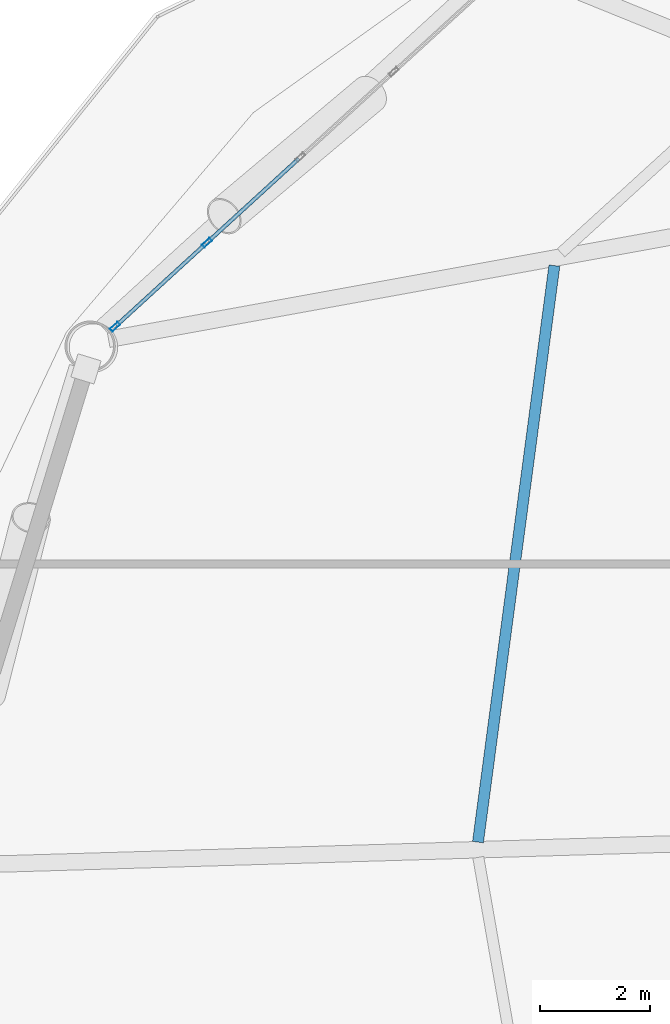
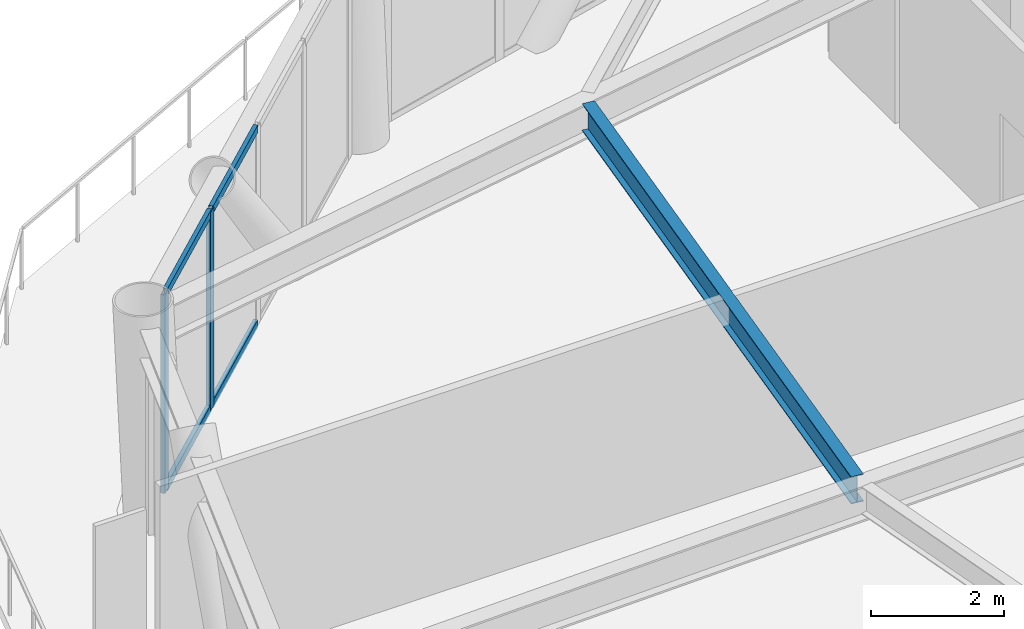
# One storey, part 11 of 24: 6 members, 1 beam, 1 element without a shape of its own.
"""IFC4 building model written with IfcOpenShell, lengths in metres."""

from ifc_helpers import new_model, si_unit, direction, frame, origin, origin_2d, place, context, subcontext, project, spatial, hollow_rectangle, i_section, extrude, material, layer, layer_set, material_profile, profile_set, type_object, element, aggregate, save


model = new_model("IFC4")

# Units and contexts
model_context = context("Model", 3, precision=1e-05, world=origin(), true_north=direction((0.0, 1.0)))
body_context = subcontext(model_context, "Body", "Model", "MODEL_VIEW")
ifc_project = project(units=[si_unit("LENGTHUNIT", "METRE"), si_unit("AREAUNIT", "SQUARE_METRE"), si_unit("VOLUMEUNIT", "CUBIC_METRE"), si_unit("PLANEANGLEUNIT", "RADIAN"), si_unit("MASSUNIT", "GRAM", prefix="KILO")], contexts=[model_context])

# Site, building, storey
site_placement = place(None, origin())
site = spatial("IfcSite", under=ifc_project, at=site_placement, CompositionType="ELEMENT")
building_placement = place(site_placement, origin())
building = spatial("IfcBuilding", under=site, at=building_placement, Name="Varnakorn Sky Granary", CompositionType="ELEMENT")
storey_placement = place(building_placement, frame((0.0, 0.0, 43.199951171875)))
storey = spatial("IfcBuildingStorey", under=building, at=storey_placement, Name="L10", CompositionType="ELEMENT", Elevation=43.199951171875)

# Beam
ifc_material_1 = material(Name="Steel S355JR", Category="steel")
ifc_material_profile_1 = material_profile(ifc_material_1, i_section(OverallWidth=0.199951171875, OverallDepth=0.5, WebThickness=0.01025390625, FlangeThickness=0.01611328125, at=origin_2d()), Name="IPE 500")
ifc_profile_set_1 = profile_set([ifc_material_profile_1], Name="Steel S355JR")
beam_type = type_object("IfcBeamType", Name="BM-SEC-Z1", PredefinedType="BEAM", material=ifc_profile_set_1)
beam_placement = place(storey_placement, frame((-10.980712890625, 10.927001953125, 3.39013671875), z_axis=(-0.131376145251, -0.991332592251, 0.0), x_axis=(0.991332592251, -0.131376145251, 0.0)))
element("IfcBeam", 1, at=beam_placement, inside=storey, type_object=beam_type, Name="Secondary Floor Chord Beam MSB06 L10", PredefinedType="BEAM", context=body_context, shape_type="SweptSolid", body=[
    extrude(i_section(OverallWidth=0.199951171875, OverallDepth=0.5, WebThickness=0.01025390625, FlangeThickness=0.01611328125, at=origin_2d()), origin(), (0.0, 0.0, 1.0), 10.57958984375),
])

# Curtain wall, members
ifc_material_2 = material(Name="Anodised Bronze Aluminium Alloy 6063-T6", Category="aluminium")
ifc_layer = layer(ifc_material_2, 0.18994140625, Name="Anodised Bronze Aluminium Alloy 6063-T6")
ifc_layer_set = layer_set([ifc_layer], Name="Anodised Bronze Aluminium Alloy 6063-T6")
curtain_wall_type = type_object("IfcCurtainWallType", Name="CW-FRM-1", PredefinedType="USERDEFINED", material=ifc_layer_set)
curtain_wall_placement = place(storey_placement, origin())
curtain_wall = element("IfcCurtainWall", 2, at=curtain_wall_placement, inside=storey, type_object=curtain_wall_type, Name="Unitised Curtain Wall CW3 CW-L10-B05", ObjectType="CURTAIN WALL", PredefinedType="USERDEFINED")
ifc_material_profile_2 = material_profile(ifc_material_2, hollow_rectangle(XDim=0.070068359375, YDim=0.18505859375, WallThickness=0.00390625, at=origin_2d()), Name="ALU MULL 70x185")
ifc_profile_set_2 = profile_set([ifc_material_profile_2], Name="Anodised Bronze Aluminium Alloy 6063-T6")
member_type_1 = type_object("IfcMemberType", Name="CW-FRM-1-MULL", PredefinedType="MULLION", material=ifc_profile_set_2)
member_1_placement = place(storey_placement, frame((-18.973388671875, 9.814453125, 0.0), z_axis=(0.0, 0.0, 1.0), x_axis=(-0.674903389306, 0.737906101821, 0.0)))
member_1 = element("IfcMember", 3, at=member_1_placement, type_object=member_type_1, Name="CW3 mullion 1", PredefinedType="MULLION", context=body_context, shape_type="SweptSolid", body=[
    extrude(hollow_rectangle(XDim=0.070068359375, YDim=0.18505859375, WallThickness=0.00390625, at=origin_2d()), origin(), (0.0, 0.0, 1.0), 3.64013671875),
])
member_2_placement = place(storey_placement, frame((-17.30078125, 11.344482421875, 0.0), z_axis=(0.0, 0.0, 1.0), x_axis=(-0.674903389306, 0.737906101821, 0.0)))
member_2 = element("IfcMember", 4, at=member_2_placement, type_object=member_type_1, Name="CW3 mullion 2", PredefinedType="MULLION", context=body_context, shape_type="SweptSolid", body=[
    extrude(hollow_rectangle(XDim=0.070068359375, YDim=0.18505859375, WallThickness=0.00390625, at=origin_2d()), origin(), (0.0, 0.0, 1.0), 3.64013671875),
])
ifc_material_profile_3 = material_profile(ifc_material_2, hollow_rectangle(XDim=0.070068359375, YDim=0.139892578125, WallThickness=0.00341796875, at=origin_2d()), Name="ALU TRAN 70x140")
ifc_profile_set_3 = profile_set([ifc_material_profile_3], Name="Anodised Bronze Aluminium Alloy 6063-T6")
member_type_2 = type_object("IfcMemberType", Name="CW-FRM-1-TRAN", PredefinedType="USERDEFINED", material=ifc_profile_set_3)
member_3_placement = place(storey_placement, frame((-18.94775390625, 9.838134765625, 0.03515625), z_axis=(0.737910208104, 0.674898899671, 0.0), x_axis=(-0.674898899671, 0.737910208104, 0.0)))
member_3 = element("IfcMember", 5, at=member_3_placement, type_object=member_type_2, Name="CW3 transom 1.1", ObjectType="TRANSOM", PredefinedType="USERDEFINED", context=body_context, shape_type="SweptSolid", body=[
    extrude(hollow_rectangle(XDim=0.070068359375, YDim=0.139892578125, WallThickness=0.00341796875, at=origin_2d()), origin(), (0.0, 0.0, 1.0), 2.19677734375),
])
member_4_placement = place(storey_placement, frame((-18.94775390625, 9.838134765625, 3.60498046875), z_axis=(0.737910208104, 0.674898899671, 0.0), x_axis=(-0.674898899671, 0.737910208104, 0.0)))
member_4 = element("IfcMember", 6, at=member_4_placement, type_object=member_type_2, Name="CW3 transom 1.2", ObjectType="TRANSOM", PredefinedType="USERDEFINED", context=body_context, shape_type="SweptSolid", body=[
    extrude(hollow_rectangle(XDim=0.070068359375, YDim=0.139892578125, WallThickness=0.00341796875, at=origin_2d()), origin(), (0.0, 0.0, 1.0), 2.19677734375),
])
member_5_placement = place(storey_placement, frame((-17.27490234375, 11.3681640625, 0.03515625), z_axis=(0.737961879028, 0.674842400196, 0.0), x_axis=(-0.674842400196, 0.737961879028, 0.0)))
member_5 = element("IfcMember", 7, at=member_5_placement, type_object=member_type_2, Name="CW3 transom 2.1", ObjectType="TRANSOM", PredefinedType="USERDEFINED", context=body_context, shape_type="SweptSolid", body=[
    extrude(hollow_rectangle(XDim=0.070068359375, YDim=0.139892578125, WallThickness=0.00341796875, at=origin_2d()), origin(), (0.0, 0.0, 1.0), 2.231689453125),
])
member_6_placement = place(storey_placement, frame((-17.27490234375, 11.3681640625, 3.60498046875), z_axis=(0.737961879028, 0.674842400196, 0.0), x_axis=(-0.674842400196, 0.737961879028, 0.0)))
member_6 = element("IfcMember", 8, at=member_6_placement, type_object=member_type_2, Name="CW3 transom 2.2", ObjectType="TRANSOM", PredefinedType="USERDEFINED", context=body_context, shape_type="SweptSolid", body=[
    extrude(hollow_rectangle(XDim=0.070068359375, YDim=0.139892578125, WallThickness=0.00341796875, at=origin_2d()), origin(), (0.0, 0.0, 1.0), 2.231689453125),
])
aggregate(curtain_wall, [member_1, member_2, member_3, member_4, member_5, member_6])

save(model, "model.ifc")
